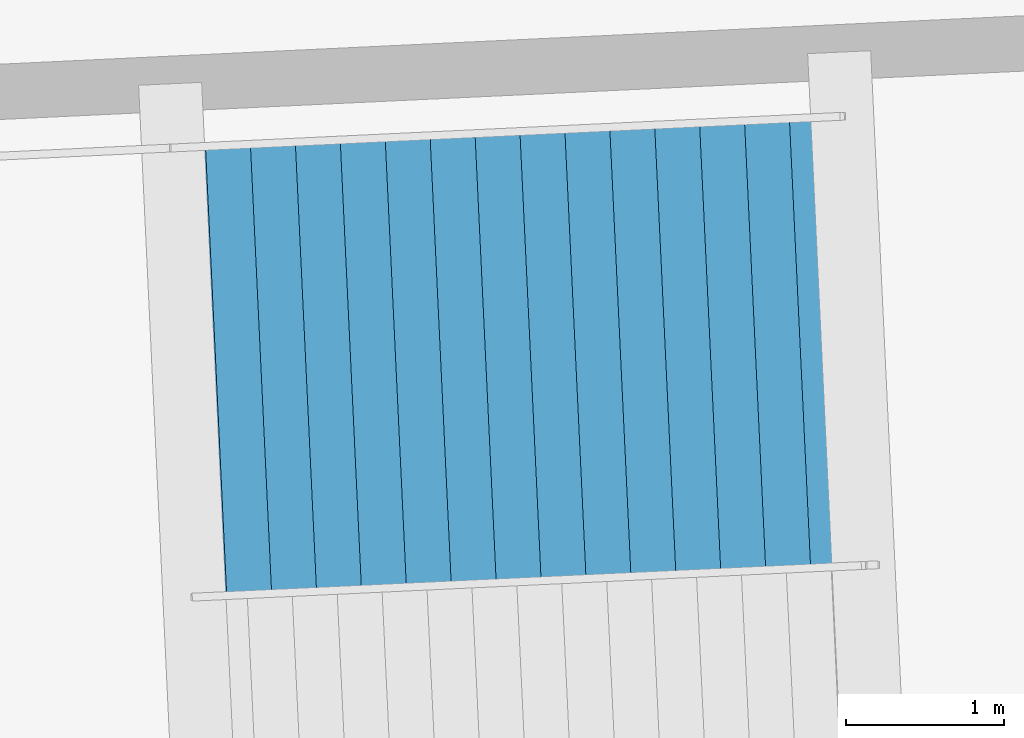
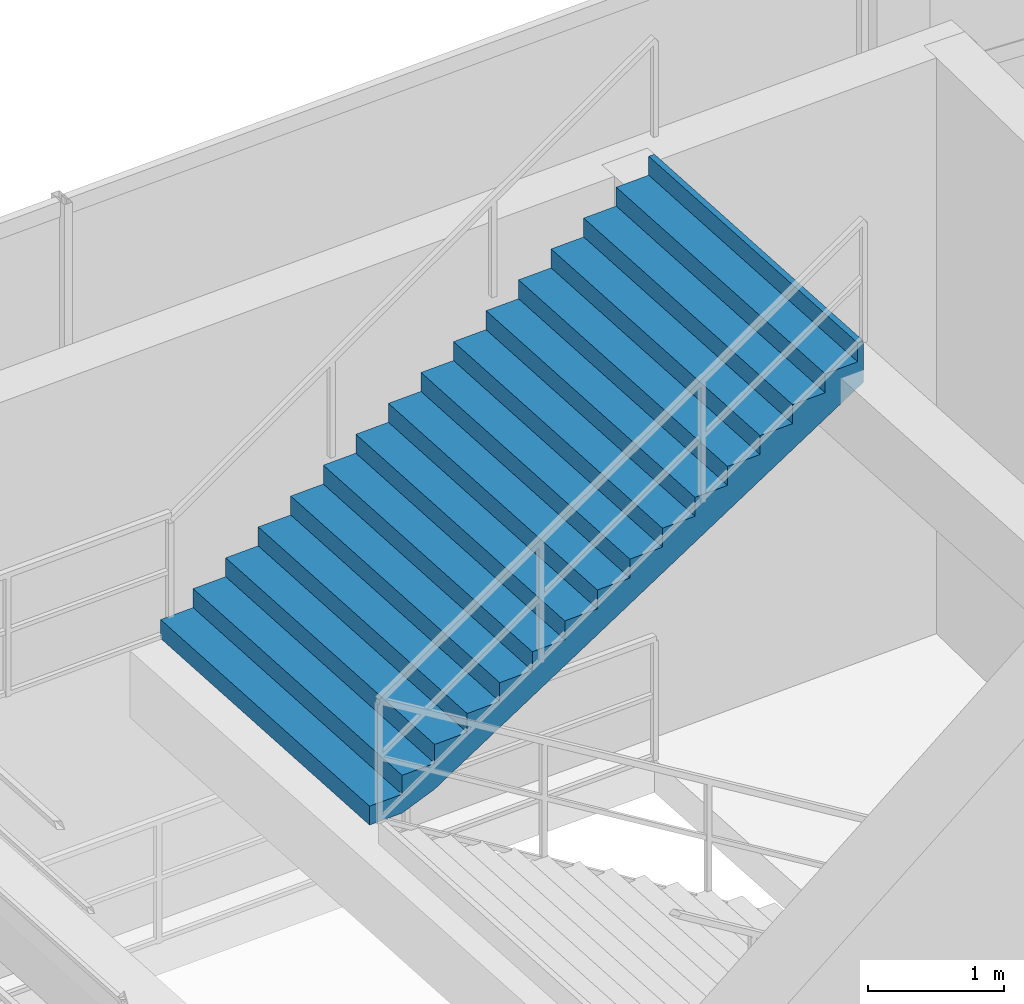
# One storey, part 163 of 186: 1 stair flight, 1 element without a shape of its own.
"""IFC4 building model written with IfcOpenShell, lengths in metres."""

from ifc_helpers import new_model, si_unit, direction, frame, origin, place, context, subcontext, project, spatial, polygons, material, type_object, element, aggregate, save


model = new_model("IFC4")

# Units and contexts
model_context = context("Model", 3, precision=1e-05, world=origin(), true_north=direction((0.0, 1.0)))
body_context = subcontext(model_context, "Body", "Model", "MODEL_VIEW")
ifc_project = project(units=[si_unit("LENGTHUNIT", "METRE"), si_unit("AREAUNIT", "SQUARE_METRE"), si_unit("VOLUMEUNIT", "CUBIC_METRE"), si_unit("PLANEANGLEUNIT", "RADIAN"), si_unit("MASSUNIT", "GRAM", prefix="KILO")], contexts=[model_context])

# Site, building, storey
site_placement = place(None, origin())
site = spatial("IfcSite", under=ifc_project, at=site_placement, CompositionType="ELEMENT")
building_placement = place(site_placement, origin())
building = spatial("IfcBuilding", under=site, at=building_placement, Name="Kazemori Nagisa Stadium", CompositionType="ELEMENT")
storey_placement = place(building_placement, frame((0.0, 0.0, 20.39990234375)))
storey = spatial("IfcBuildingStorey", under=building, at=storey_placement, Name="L04", CompositionType="ELEMENT", Elevation=20.39990234375)

# Stair, stair flight
ifc_material = material(Name="Concrete C36/45 (Fc36)", Category="concrete")
stair_type = type_object("IfcStairType", Name="Stair_CORE_32", PredefinedType="TWO_STRAIGHT_RUN_STAIR", material=ifc_material)
stair_placement = place(storey_placement, origin())
stair = element("IfcStair", 1, at=stair_placement, inside=storey, type_object=stair_type, Name="Exit stair ST05 L04", PredefinedType="TWO_STRAIGHT_RUN_STAIR")
stair_flight_type = type_object("IfcStairFlightType", Name="Flight_CORE_16", PredefinedType="STRAIGHT", material=ifc_material)
stair_flight_placement = place(storey_placement, frame((114.930419921875, 183.20458984375, 2.72021484375), z_axis=(0.0, 0.0, 1.0), x_axis=(0.99888410244, 0.047228697771, 0.0)))
stair_flight = element("IfcStairFlight", 2, at=stair_flight_placement, type_object=stair_flight_type, Name="Exit stair ST05 L04 flight 2", NumberOfRisers=16, NumberOfTreads=15, PredefinedType="STRAIGHT", RiserHeight=0.17, TreadLength=0.285, context=body_context, shape_type="Tessellation", body=[
    polygons([(0.0, -1.425048828125, 0.0), (0.0, -1.425048828125, 0.169921875), (0.284912109375, -1.425048828125, 0.169921875), (0.284912109375, -1.425048828125, 0.340087890625), (0.570068359375, -1.425048828125, 0.340087890625), (0.570068359375, -1.425048828125, 0.510009765625), (0.85498046875, -1.425048828125, 0.510009765625), (0.85498046875, -1.425048828125, 0.679931640625), (1.139892578125, -1.425048828125, 0.679931640625), (1.139892578125, -1.425048828125, 0.85009765625), (1.425048828125, -1.425048828125, 0.85009765625), (1.425048828125, -1.425048828125, 1.02001953125), (1.7099609375, -1.425048828125, 1.02001953125), (1.7099609375, -1.425048828125, 1.18994140625), (1.9951171875, -1.425048828125, 1.18994140625), (1.9951171875, -1.425048828125, 1.360107421875), (2.280029296875, -1.425048828125, 1.360107421875), (2.280029296875, -1.425048828125, 1.530029296875), (2.56494140625, -1.425048828125, 1.530029296875), (2.56494140625, -1.425048828125, 1.699951171875), (2.85009765625, -1.425048828125, 1.699951171875), (2.85009765625, -1.425048828125, 1.8701171875), (3.135009765625, -1.425048828125, 1.8701171875), (3.135009765625, -1.425048828125, 2.0400390625), (3.419921875, -1.425048828125, 2.0400390625), (3.419921875, -1.425048828125, 2.2099609375), (3.705078125, -1.425048828125, 2.2099609375), (3.705078125, -1.425048828125, 2.3798828125), (3.989990234375, -1.425048828125, 2.3798828125), (3.989990234375, -1.425048828125, 2.550048828125), (4.27490234375, -1.425048828125, 2.550048828125), (4.27490234375, -1.425048828125, 2.719970703125), (4.324951171875, -1.425048828125, 2.719970703125), (4.324951171875, -1.425048828125, 2.346923828125), (4.27490234375, -1.425048828125, 2.317138671875), (3.989990234375, -1.425048828125, 2.147216796875), (3.705078125, -1.425048828125, 1.977294921875), (3.419921875, -1.425048828125, 1.80712890625), (3.135009765625, -1.425048828125, 1.63720703125), (2.85009765625, -1.425048828125, 1.46728515625), (2.56494140625, -1.425048828125, 1.297119140625), (2.280029296875, -1.425048828125, 1.127197265625), (1.9951171875, -1.425048828125, 0.957275390625), (1.7099609375, -1.425048828125, 0.787109375), (1.425048828125, -1.425048828125, 0.6171875), (1.139892578125, -1.425048828125, 0.447265625), (0.85498046875, -1.425048828125, 0.277099609375), (0.570068359375, -1.425048828125, 0.107177734375), (0.284912109375, -1.425048828125, 0.0), (0.0, -0.08544921875, 0.0), (0.0, -0.08544921875, 0.169921875), (0.284912109375, -0.08544921875, 0.169921875), (0.284912109375, -0.08544921875, 0.340087890625), (0.570068359375, -0.08544921875, 0.340087890625), (0.570068359375, -0.08544921875, 0.510009765625), (0.85498046875, -0.08544921875, 0.510009765625), (0.85498046875, -0.08544921875, 0.679931640625), (1.139892578125, -0.08544921875, 0.679931640625), (1.139892578125, -0.08544921875, 0.85009765625), (1.425048828125, -0.08544921875, 0.85009765625), (1.425048828125, -0.08544921875, 1.02001953125), (1.7099609375, -0.08544921875, 1.02001953125), (1.7099609375, -0.08544921875, 1.18994140625), (1.9951171875, -0.08544921875, 1.18994140625), (1.9951171875, -0.08544921875, 1.360107421875), (2.280029296875, -0.08544921875, 1.360107421875), (2.280029296875, -0.08544921875, 1.530029296875), (2.56494140625, -0.08544921875, 1.530029296875), (2.56494140625, -0.08544921875, 1.699951171875), (2.85009765625, -0.08544921875, 1.699951171875), (2.85009765625, -0.08544921875, 1.8701171875), (3.135009765625, -0.08544921875, 1.8701171875), (3.135009765625, -0.08544921875, 2.0400390625), (3.419921875, -0.08544921875, 2.0400390625), (3.419921875, -0.08544921875, 2.2099609375), (3.705078125, -0.08544921875, 2.2099609375), (3.705078125, -0.08544921875, 2.3798828125), (3.989990234375, -0.08544921875, 2.3798828125), (3.989990234375, -0.08544921875, 2.550048828125), (4.27490234375, -0.08544921875, 2.550048828125), (4.27490234375, -0.08544921875, 2.719970703125), (4.324951171875, -0.08544921875, 2.719970703125), (4.324951171875, -0.08544921875, 2.346923828125), (4.27490234375, -0.08544921875, 2.317138671875), (3.989990234375, -0.08544921875, 2.147216796875), (3.705078125, -0.08544921875, 1.977294921875), (3.419921875, -0.08544921875, 1.80712890625), (3.135009765625, -0.08544921875, 1.63720703125), (2.85009765625, -0.08544921875, 1.46728515625), (2.56494140625, -0.08544921875, 1.297119140625), (2.280029296875, -0.08544921875, 1.127197265625), (1.9951171875, -0.08544921875, 0.957275390625), (1.7099609375, -0.08544921875, 0.787109375), (1.425048828125, -0.08544921875, 0.6171875), (1.139892578125, -0.08544921875, 0.447265625), (0.85498046875, -0.08544921875, 0.277099609375), (0.570068359375, -0.08544921875, 0.107177734375), (0.284912109375, -0.08544921875, 0.0), (0.0, 0.0, 0.0), (0.0, 0.0, 0.169921875), (0.284912109375, 0.0, 0.169921875), (0.284912109375, 0.0, 0.340087890625), (0.570068359375, 0.0, 0.340087890625), (0.570068359375, 0.0, 0.510009765625), (0.85498046875, 0.0, 0.510009765625), (0.85498046875, 0.0, 0.679931640625), (1.139892578125, 0.0, 0.679931640625), (1.139892578125, 0.0, 0.85009765625), (1.425048828125, 0.0, 0.85009765625), (1.425048828125, 0.0, 1.02001953125), (1.7099609375, 0.0, 1.02001953125), (1.7099609375, 0.0, 1.18994140625), (1.9951171875, 0.0, 1.18994140625), (1.9951171875, 0.0, 1.360107421875), (2.280029296875, 0.0, 1.360107421875), (2.280029296875, 0.0, 1.530029296875), (2.56494140625, 0.0, 1.530029296875), (2.56494140625, 0.0, 1.699951171875), (2.85009765625, 0.0, 1.699951171875), (2.85009765625, 0.0, 1.8701171875), (3.135009765625, 0.0, 1.8701171875), (3.135009765625, 0.0, 2.0400390625), (3.419921875, 0.0, 2.0400390625), (3.419921875, 0.0, 2.2099609375), (3.705078125, 0.0, 2.2099609375), (3.705078125, 0.0, 2.3798828125), (3.989990234375, 0.0, 2.3798828125), (3.989990234375, 0.0, 2.550048828125), (4.27490234375, 0.0, 2.550048828125), (4.27490234375, 0.0, 2.719970703125), (4.324951171875, 0.0, 2.719970703125), (4.324951171875, 0.0, 2.346923828125), (4.27490234375, 0.0, 2.317138671875), (3.989990234375, 0.0, 2.147216796875), (3.705078125, 0.0, 1.977294921875), (3.419921875, 0.0, 1.80712890625), (3.135009765625, 0.0, 1.63720703125), (2.85009765625, 0.0, 1.46728515625), (2.56494140625, 0.0, 1.297119140625), (2.280029296875, 0.0, 1.127197265625), (1.9951171875, 0.0, 0.957275390625), (1.7099609375, 0.0, 0.787109375), (1.425048828125, 0.0, 0.6171875), (1.139892578125, 0.0, 0.447265625), (0.85498046875, 0.0, 0.277099609375), (0.570068359375, 0.0, 0.107177734375), (0.284912109375, 0.0, 0.0), (0.0, 0.08544921875, 0.0), (0.0, 0.08544921875, 0.169921875), (0.284912109375, 0.08544921875, 0.169921875), (0.284912109375, 0.08544921875, 0.340087890625), (0.570068359375, 0.08544921875, 0.340087890625), (0.570068359375, 0.08544921875, 0.510009765625), (0.85498046875, 0.08544921875, 0.510009765625), (0.85498046875, 0.08544921875, 0.679931640625), (1.139892578125, 0.08544921875, 0.679931640625), (1.139892578125, 0.08544921875, 0.85009765625), (1.425048828125, 0.08544921875, 0.85009765625), (1.425048828125, 0.08544921875, 1.02001953125), (1.7099609375, 0.08544921875, 1.02001953125), (1.7099609375, 0.08544921875, 1.18994140625), (1.9951171875, 0.08544921875, 1.18994140625), (1.9951171875, 0.08544921875, 1.360107421875), (2.280029296875, 0.08544921875, 1.360107421875), (2.280029296875, 0.08544921875, 1.530029296875), (2.56494140625, 0.08544921875, 1.530029296875), (2.56494140625, 0.08544921875, 1.699951171875), (2.85009765625, 0.08544921875, 1.699951171875), (2.85009765625, 0.08544921875, 1.8701171875), (3.135009765625, 0.08544921875, 1.8701171875), (3.135009765625, 0.08544921875, 2.0400390625), (3.419921875, 0.08544921875, 2.0400390625), (3.419921875, 0.08544921875, 2.2099609375), (3.705078125, 0.08544921875, 2.2099609375), (3.705078125, 0.08544921875, 2.3798828125), (3.989990234375, 0.08544921875, 2.3798828125), (3.989990234375, 0.08544921875, 2.550048828125), (4.27490234375, 0.08544921875, 2.550048828125), (4.27490234375, 0.08544921875, 2.719970703125), (4.324951171875, 0.08544921875, 2.719970703125), (4.324951171875, 0.08544921875, 2.346923828125), (4.27490234375, 0.08544921875, 2.317138671875), (3.989990234375, 0.08544921875, 2.147216796875), (3.705078125, 0.08544921875, 1.977294921875), (3.419921875, 0.08544921875, 1.80712890625), (3.135009765625, 0.08544921875, 1.63720703125), (2.85009765625, 0.08544921875, 1.46728515625), (2.56494140625, 0.08544921875, 1.297119140625), (2.280029296875, 0.08544921875, 1.127197265625), (1.9951171875, 0.08544921875, 0.957275390625), (1.7099609375, 0.08544921875, 0.787109375), (1.425048828125, 0.08544921875, 0.6171875), (1.139892578125, 0.08544921875, 0.447265625), (0.85498046875, 0.08544921875, 0.277099609375), (0.570068359375, 0.08544921875, 0.107177734375), (0.284912109375, 0.08544921875, 0.0), (0.0, 1.425048828125, 0.0), (0.0, 1.425048828125, 0.169921875), (0.284912109375, 1.425048828125, 0.169921875), (0.284912109375, 1.425048828125, 0.340087890625), (0.570068359375, 1.425048828125, 0.340087890625), (0.570068359375, 1.425048828125, 0.510009765625), (0.85498046875, 1.425048828125, 0.510009765625), (0.85498046875, 1.425048828125, 0.679931640625), (1.139892578125, 1.425048828125, 0.679931640625), (1.139892578125, 1.425048828125, 0.85009765625), (1.425048828125, 1.425048828125, 0.85009765625), (1.425048828125, 1.425048828125, 1.02001953125), (1.7099609375, 1.425048828125, 1.02001953125), (1.7099609375, 1.425048828125, 1.18994140625), (1.9951171875, 1.425048828125, 1.18994140625), (1.9951171875, 1.425048828125, 1.360107421875), (2.280029296875, 1.425048828125, 1.360107421875), (2.280029296875, 1.425048828125, 1.530029296875), (2.56494140625, 1.425048828125, 1.530029296875), (2.56494140625, 1.425048828125, 1.699951171875), (2.85009765625, 1.425048828125, 1.699951171875), (2.85009765625, 1.425048828125, 1.8701171875), (3.135009765625, 1.425048828125, 1.8701171875), (3.135009765625, 1.425048828125, 2.0400390625), (3.419921875, 1.425048828125, 2.0400390625), (3.419921875, 1.425048828125, 2.2099609375), (3.705078125, 1.425048828125, 2.2099609375), (3.705078125, 1.425048828125, 2.3798828125), (3.989990234375, 1.425048828125, 2.3798828125), (3.989990234375, 1.425048828125, 2.550048828125), (4.27490234375, 1.425048828125, 2.550048828125), (4.27490234375, 1.425048828125, 2.719970703125), (4.324951171875, 1.425048828125, 2.719970703125), (4.324951171875, 1.425048828125, 2.346923828125), (4.27490234375, 1.425048828125, 2.317138671875), (3.989990234375, 1.425048828125, 2.147216796875), (3.705078125, 1.425048828125, 1.977294921875), (3.419921875, 1.425048828125, 1.80712890625), (3.135009765625, 1.425048828125, 1.63720703125), (2.85009765625, 1.425048828125, 1.46728515625), (2.56494140625, 1.425048828125, 1.297119140625), (2.280029296875, 1.425048828125, 1.127197265625), (1.9951171875, 1.425048828125, 0.957275390625), (1.7099609375, 1.425048828125, 0.787109375), (1.425048828125, 1.425048828125, 0.6171875), (1.139892578125, 1.425048828125, 0.447265625), (0.85498046875, 1.425048828125, 0.277099609375), (0.570068359375, 1.425048828125, 0.107177734375), (0.284912109375, 1.425048828125, 0.0)], [[[1, 2, 51]], [[1, 51, 50]], [[2, 3, 52]], [[2, 52, 51]], [[3, 4, 53]], [[3, 53, 52]], [[4, 5, 54]], [[4, 54, 53]], [[5, 6, 55]], [[5, 55, 54]], [[6, 7, 56]], [[6, 56, 55]], [[7, 8, 57]], [[7, 57, 56]], [[8, 9, 58]], [[8, 58, 57]], [[9, 10, 59]], [[9, 59, 58]], [[10, 11, 60]], [[10, 60, 59]], [[11, 12, 61]], [[11, 61, 60]], [[12, 13, 62]], [[12, 62, 61]], [[13, 14, 63]], [[13, 63, 62]], [[14, 15, 64]], [[14, 64, 63]], [[15, 16, 65]], [[15, 65, 64]], [[16, 17, 66]], [[16, 66, 65]], [[17, 18, 67]], [[17, 67, 66]], [[18, 19, 68]], [[18, 68, 67]], [[19, 20, 69]], [[19, 69, 68]], [[20, 21, 70]], [[20, 70, 69]], [[21, 22, 71]], [[21, 71, 70]], [[22, 23, 72]], [[22, 72, 71]], [[23, 24, 73]], [[23, 73, 72]], [[24, 25, 74]], [[24, 74, 73]], [[25, 26, 75]], [[25, 75, 74]], [[26, 27, 76]], [[26, 76, 75]], [[27, 28, 77]], [[27, 77, 76]], [[28, 29, 78]], [[28, 78, 77]], [[29, 30, 79]], [[29, 79, 78]], [[30, 31, 80]], [[30, 80, 79]], [[31, 32, 81]], [[31, 81, 80]], [[32, 33, 82]], [[32, 82, 81]], [[33, 34, 83]], [[33, 83, 82]], [[34, 35, 84]], [[34, 84, 83]], [[35, 36, 85]], [[35, 85, 84]], [[36, 37, 86]], [[36, 86, 85]], [[37, 38, 87]], [[37, 87, 86]], [[38, 39, 88]], [[38, 88, 87]], [[39, 40, 89]], [[39, 89, 88]], [[40, 41, 90]], [[40, 90, 89]], [[41, 42, 91]], [[41, 91, 90]], [[42, 43, 92]], [[42, 92, 91]], [[43, 44, 93]], [[43, 93, 92]], [[44, 45, 94]], [[44, 94, 93]], [[45, 46, 95]], [[45, 95, 94]], [[46, 47, 96]], [[46, 96, 95]], [[47, 48, 97]], [[47, 97, 96]], [[48, 49, 98]], [[48, 98, 97]], [[49, 1, 50]], [[49, 50, 98]], [[50, 51, 100]], [[50, 100, 99]], [[51, 52, 101]], [[51, 101, 100]], [[52, 53, 102]], [[52, 102, 101]], [[53, 54, 103]], [[53, 103, 102]], [[54, 55, 104]], [[54, 104, 103]], [[55, 56, 105]], [[55, 105, 104]], [[56, 57, 106]], [[56, 106, 105]], [[57, 58, 107]], [[57, 107, 106]], [[58, 59, 108]], [[58, 108, 107]], [[59, 60, 109]], [[59, 109, 108]], [[60, 61, 110]], [[60, 110, 109]], [[61, 62, 111]], [[61, 111, 110]], [[62, 63, 112]], [[62, 112, 111]], [[63, 64, 113]], [[63, 113, 112]], [[64, 65, 114]], [[64, 114, 113]], [[65, 66, 115]], [[65, 115, 114]], [[66, 67, 116]], [[66, 116, 115]], [[67, 68, 117]], [[67, 117, 116]], [[68, 69, 118]], [[68, 118, 117]], [[69, 70, 119]], [[69, 119, 118]], [[70, 71, 120]], [[70, 120, 119]], [[71, 72, 121]], [[71, 121, 120]], [[72, 73, 122]], [[72, 122, 121]], [[73, 74, 123]], [[73, 123, 122]], [[74, 75, 124]], [[74, 124, 123]], [[75, 76, 125]], [[75, 125, 124]], [[76, 77, 126]], [[76, 126, 125]], [[77, 78, 127]], [[77, 127, 126]], [[78, 79, 128]], [[78, 128, 127]], [[79, 80, 129]], [[79, 129, 128]], [[80, 81, 130]], [[80, 130, 129]], [[81, 82, 131]], [[81, 131, 130]], [[82, 83, 132]], [[82, 132, 131]], [[83, 84, 133]], [[83, 133, 132]], [[84, 85, 134]], [[84, 134, 133]], [[85, 86, 135]], [[85, 135, 134]], [[86, 87, 136]], [[86, 136, 135]], [[87, 88, 137]], [[87, 137, 136]], [[88, 89, 138]], [[88, 138, 137]], [[89, 90, 139]], [[89, 139, 138]], [[90, 91, 140]], [[90, 140, 139]], [[91, 92, 141]], [[91, 141, 140]], [[92, 93, 142]], [[92, 142, 141]], [[93, 94, 143]], [[93, 143, 142]], [[94, 95, 144]], [[94, 144, 143]], [[95, 96, 145]], [[95, 145, 144]], [[96, 97, 146]], [[96, 146, 145]], [[97, 98, 147]], [[97, 147, 146]], [[98, 50, 99]], [[98, 99, 147]], [[99, 100, 149]], [[99, 149, 148]], [[100, 101, 150]], [[100, 150, 149]], [[101, 102, 151]], [[101, 151, 150]], [[102, 103, 152]], [[102, 152, 151]], [[103, 104, 153]], [[103, 153, 152]], [[104, 105, 154]], [[104, 154, 153]], [[105, 106, 155]], [[105, 155, 154]], [[106, 107, 156]], [[106, 156, 155]], [[107, 108, 157]], [[107, 157, 156]], [[108, 109, 158]], [[108, 158, 157]], [[109, 110, 159]], [[109, 159, 158]], [[110, 111, 160]], [[110, 160, 159]], [[111, 112, 161]], [[111, 161, 160]], [[112, 113, 162]], [[112, 162, 161]], [[113, 114, 163]], [[113, 163, 162]], [[114, 115, 164]], [[114, 164, 163]], [[115, 116, 165]], [[115, 165, 164]], [[116, 117, 166]], [[116, 166, 165]], [[117, 118, 167]], [[117, 167, 166]], [[118, 119, 168]], [[118, 168, 167]], [[119, 120, 169]], [[119, 169, 168]], [[120, 121, 170]], [[120, 170, 169]], [[121, 122, 171]], [[121, 171, 170]], [[122, 123, 172]], [[122, 172, 171]], [[123, 124, 173]], [[123, 173, 172]], [[124, 125, 174]], [[124, 174, 173]], [[125, 126, 175]], [[125, 175, 174]], [[126, 127, 176]], [[126, 176, 175]], [[127, 128, 177]], [[127, 177, 176]], [[128, 129, 178]], [[128, 178, 177]], [[129, 130, 179]], [[129, 179, 178]], [[130, 131, 180]], [[130, 180, 179]], [[131, 132, 181]], [[131, 181, 180]], [[132, 133, 182]], [[132, 182, 181]], [[133, 134, 183]], [[133, 183, 182]], [[134, 135, 184]], [[134, 184, 183]], [[135, 136, 185]], [[135, 185, 184]], [[136, 137, 186]], [[136, 186, 185]], [[137, 138, 187]], [[137, 187, 186]], [[138, 139, 188]], [[138, 188, 187]], [[139, 140, 189]], [[139, 189, 188]], [[140, 141, 190]], [[140, 190, 189]], [[141, 142, 191]], [[141, 191, 190]], [[142, 143, 192]], [[142, 192, 191]], [[143, 144, 193]], [[143, 193, 192]], [[144, 145, 194]], [[144, 194, 193]], [[145, 146, 195]], [[145, 195, 194]], [[146, 147, 196]], [[146, 196, 195]], [[147, 99, 148]], [[147, 148, 196]], [[148, 149, 198]], [[148, 198, 197]], [[149, 150, 199]], [[149, 199, 198]], [[150, 151, 200]], [[150, 200, 199]], [[151, 152, 201]], [[151, 201, 200]], [[152, 153, 202]], [[152, 202, 201]], [[153, 154, 203]], [[153, 203, 202]], [[154, 155, 204]], [[154, 204, 203]], [[155, 156, 205]], [[155, 205, 204]], [[156, 157, 206]], [[156, 206, 205]], [[157, 158, 207]], [[157, 207, 206]], [[158, 159, 208]], [[158, 208, 207]], [[159, 160, 209]], [[159, 209, 208]], [[160, 161, 210]], [[160, 210, 209]], [[161, 162, 211]], [[161, 211, 210]], [[162, 163, 212]], [[162, 212, 211]], [[163, 164, 213]], [[163, 213, 212]], [[164, 165, 214]], [[164, 214, 213]], [[165, 166, 215]], [[165, 215, 214]], [[166, 167, 216]], [[166, 216, 215]], [[167, 168, 217]], [[167, 217, 216]], [[168, 169, 218]], [[168, 218, 217]], [[169, 170, 219]], [[169, 219, 218]], [[170, 171, 220]], [[170, 220, 219]], [[171, 172, 221]], [[171, 221, 220]], [[172, 173, 222]], [[172, 222, 221]], [[173, 174, 223]], [[173, 223, 222]], [[174, 175, 224]], [[174, 224, 223]], [[175, 176, 225]], [[175, 225, 224]], [[176, 177, 226]], [[176, 226, 225]], [[177, 178, 227]], [[177, 227, 226]], [[178, 179, 228]], [[178, 228, 227]], [[179, 180, 229]], [[179, 229, 228]], [[180, 181, 230]], [[180, 230, 229]], [[181, 182, 231]], [[181, 231, 230]], [[182, 183, 232]], [[182, 232, 231]], [[183, 184, 233]], [[183, 233, 232]], [[184, 185, 234]], [[184, 234, 233]], [[185, 186, 235]], [[185, 235, 234]], [[186, 187, 236]], [[186, 236, 235]], [[187, 188, 237]], [[187, 237, 236]], [[188, 189, 238]], [[188, 238, 237]], [[189, 190, 239]], [[189, 239, 238]], [[190, 191, 240]], [[190, 240, 239]], [[191, 192, 241]], [[191, 241, 240]], [[192, 193, 242]], [[192, 242, 241]], [[193, 194, 243]], [[193, 243, 242]], [[194, 195, 244]], [[194, 244, 243]], [[195, 196, 245]], [[195, 245, 244]], [[196, 148, 197]], [[196, 197, 245]], [[3, 2, 1]], [[197, 198, 199]], [[49, 3, 1]], [[197, 199, 245]], [[48, 3, 49]], [[245, 199, 244]], [[5, 3, 48]], [[244, 199, 201]], [[5, 4, 3]], [[199, 200, 201]], [[47, 5, 48]], [[244, 201, 243]], [[7, 5, 47]], [[243, 201, 203]], [[7, 6, 5]], [[201, 202, 203]], [[46, 7, 47]], [[243, 203, 242]], [[9, 7, 46]], [[242, 203, 205]], [[9, 8, 7]], [[203, 204, 205]], [[45, 9, 46]], [[242, 205, 241]], [[11, 9, 45]], [[241, 205, 207]], [[11, 10, 9]], [[205, 206, 207]], [[44, 11, 45]], [[241, 207, 240]], [[13, 11, 44]], [[240, 207, 209]], [[13, 12, 11]], [[207, 208, 209]], [[43, 13, 44]], [[240, 209, 239]], [[15, 13, 43]], [[239, 209, 211]], [[15, 14, 13]], [[209, 210, 211]], [[42, 15, 43]], [[239, 211, 238]], [[17, 15, 42]], [[238, 211, 213]], [[17, 16, 15]], [[211, 212, 213]], [[41, 17, 42]], [[238, 213, 237]], [[19, 17, 41]], [[237, 213, 215]], [[19, 18, 17]], [[213, 214, 215]], [[40, 19, 41]], [[237, 215, 236]], [[21, 19, 40]], [[236, 215, 217]], [[21, 20, 19]], [[215, 216, 217]], [[39, 21, 40]], [[236, 217, 235]], [[23, 21, 39]], [[235, 217, 219]], [[23, 22, 21]], [[217, 218, 219]], [[38, 23, 39]], [[235, 219, 234]], [[25, 23, 38]], [[234, 219, 221]], [[25, 24, 23]], [[219, 220, 221]], [[37, 25, 38]], [[234, 221, 233]], [[27, 25, 37]], [[233, 221, 223]], [[27, 26, 25]], [[221, 222, 223]], [[36, 27, 37]], [[233, 223, 232]], [[29, 27, 36]], [[232, 223, 225]], [[29, 28, 27]], [[223, 224, 225]], [[35, 29, 36]], [[232, 225, 231]], [[31, 29, 35]], [[231, 225, 227]], [[31, 30, 29]], [[225, 226, 227]], [[34, 31, 35]], [[231, 227, 230]], [[33, 31, 34]], [[230, 227, 229]], [[33, 32, 31]], [[227, 228, 229]]], closed=True),
])
aggregate(stair, [stair_flight])

save(model, "model.ifc")
